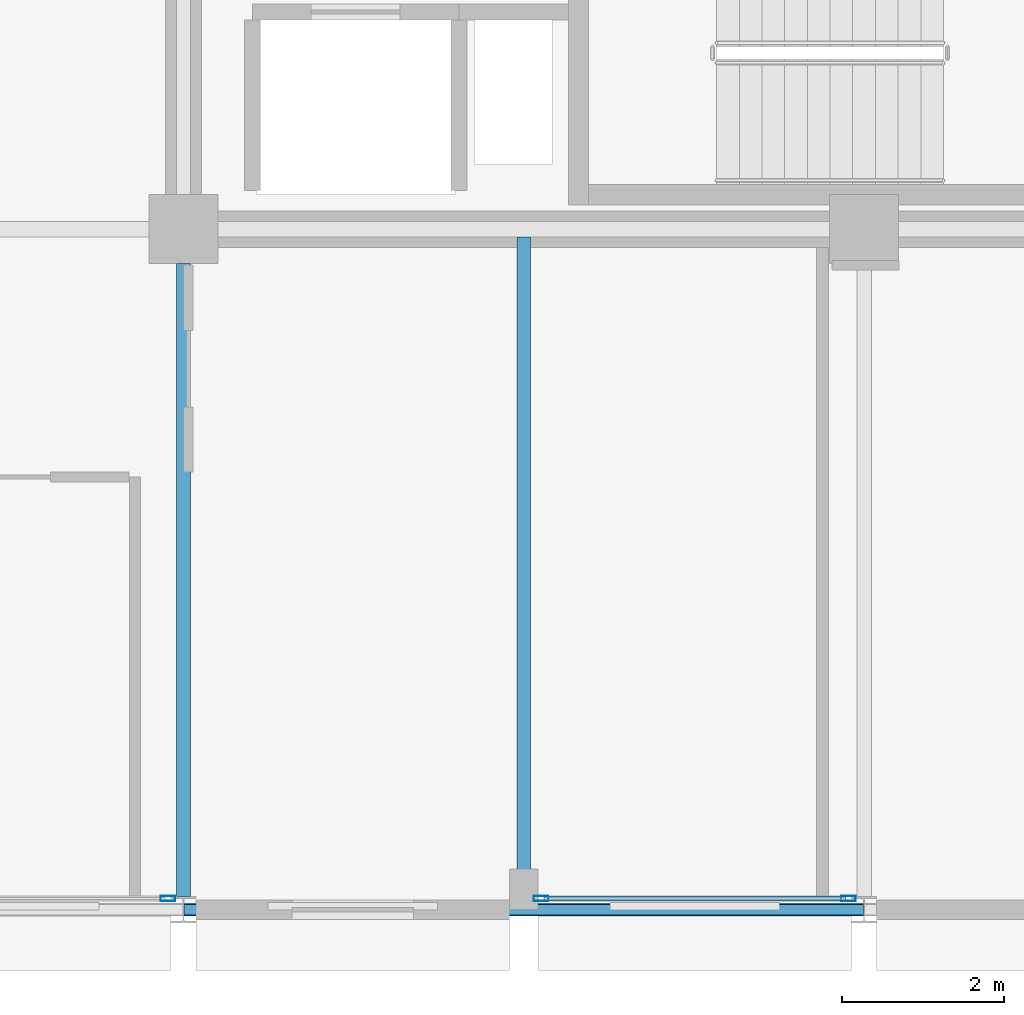
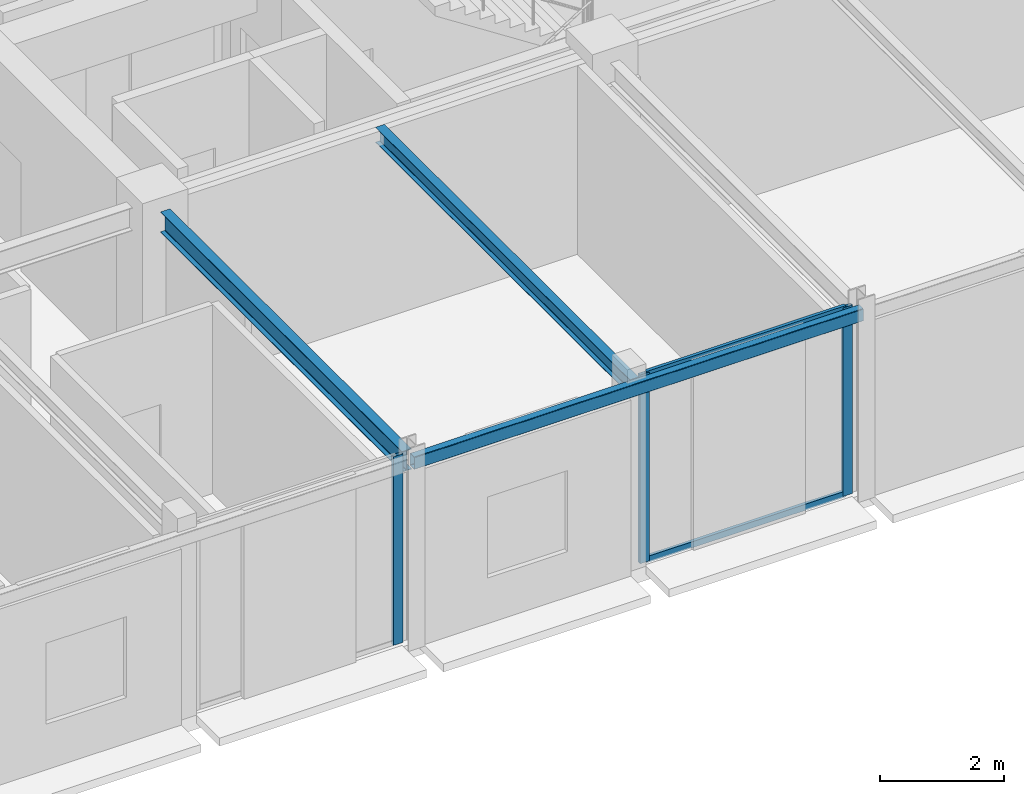
# One storey, part 7 of 27: 5 members, 3 beams, 2 elements without a shape of their own.
"""IFC4 building model written with IfcOpenShell, lengths in metres."""

from ifc_helpers import new_model, si_unit, direction, frame, origin, origin_2d, place, context, subcontext, project, spatial, hollow_rectangle, i_section, extrude, material, layer, layer_set, material_profile, profile_set, type_object, element, aggregate, save


model = new_model("IFC4")

# Units and contexts
model_context = context("Model", 3, precision=1e-05, world=origin(), true_north=direction((0.0, 1.0)))
body_context = subcontext(model_context, "Body", "Model", "MODEL_VIEW")
ifc_project = project(units=[si_unit("LENGTHUNIT", "METRE"), si_unit("AREAUNIT", "SQUARE_METRE"), si_unit("VOLUMEUNIT", "CUBIC_METRE"), si_unit("PLANEANGLEUNIT", "RADIAN"), si_unit("MASSUNIT", "GRAM", prefix="KILO")], contexts=[model_context])

# Site, building, storey
site_placement = place(None, origin())
site = spatial("IfcSite", under=ifc_project, at=site_placement, CompositionType="ELEMENT")
building_placement = place(site_placement, origin())
building = spatial("IfcBuilding", under=site, at=building_placement, Name="Nerrivon Quay Data Exchange", CompositionType="ELEMENT")
storey_placement = place(building_placement, frame((0.0, 0.0, 254.199951171875)))
storey = spatial("IfcBuildingStorey", under=building, at=storey_placement, Name="L60", CompositionType="ELEMENT", Elevation=254.199951171875)

# Beams
ifc_material_1 = material(Name="Steel Grade 350", Category="steel")
ifc_material_profile_1 = material_profile(ifc_material_1, i_section(OverallWidth=0.177978515625, OverallDepth=0.406005859375, WebThickness=0.0078125, FlangeThickness=0.0126953125, FilletRadius=0.011474609375, at=origin_2d()), Name="410UB59.7")
ifc_profile_set_1 = profile_set([ifc_material_profile_1], Name="Steel Grade 350")
beam_type_1 = type_object("IfcBeamType", Name="BM-J1-410UB60", PredefinedType="JOIST", material=ifc_profile_set_1)
beam_1_placement = place(storey_placement, frame((16.800048828125, 0.16357421875, 3.52197265625), z_axis=(0.0, 1.0, 0.0), x_axis=(-1.0, 0.0, 0.0)))
element("IfcBeam", 1, at=beam_1_placement, inside=storey, type_object=beam_type_1, Name="L60 NS Girder X=16.8 (0.0..8.4)", PredefinedType="JOIST", context=body_context, shape_type="SweptSolid", body=[
    extrude(i_section(OverallWidth=0.177978515625, OverallDepth=0.406005859375, WebThickness=0.0078125, FlangeThickness=0.0126953125, FilletRadius=0.011474609375, at=origin_2d()), origin(), (0.0, 0.0, 1.0), 7.8115234375),
])
ifc_material_profile_2 = material_profile(ifc_material_1, i_section(OverallWidth=0.1650390625, OverallDepth=0.303955078125, WebThickness=0.006103515625, FlangeThickness=0.01025390625, FilletRadius=0.011474609375, at=origin_2d()), Name="310UB40.4")
ifc_profile_set_2 = profile_set([ifc_material_profile_2], Name="Steel Grade 350")
beam_type_2 = type_object("IfcBeamType", Name="BM-J6-310UB40", PredefinedType="JOIST", material=ifc_profile_set_2)
beam_2_placement = place(storey_placement, frame((21.0, 0.074951171875, 3.572998046875), z_axis=(0.0, 1.0, 0.0), x_axis=(-1.0, 0.0, 0.0)))
element("IfcBeam", 2, at=beam_2_placement, inside=storey, type_object=beam_type_2, Name="L60 Secondary Joist X=21.0 (0.0..8.4)", PredefinedType="JOIST", context=body_context, shape_type="SweptSolid", body=[
    extrude(i_section(OverallWidth=0.1650390625, OverallDepth=0.303955078125, WebThickness=0.006103515625, FlangeThickness=0.01025390625, FilletRadius=0.011474609375, at=origin_2d()), origin(), (0.0, 0.0, 1.0), 8.22998046875),
])
ifc_material_2 = material(Name="Steel Grade C350L0 (350 MPa)", Category="steel")
ifc_material_profile_3 = material_profile(ifc_material_2, hollow_rectangle(XDim=0.14990234375, YDim=0.25, WallThickness=0.009033203125, InnerFilletRadius=0.013427734375, OuterFilletRadius=0.0224609375, at=origin_2d()), Name="250x150x9.0RHS")
ifc_profile_set_3 = profile_set([ifc_material_profile_3], Name="Steel Grade C350L0 (350 MPa)")
beam_type_3 = type_object("IfcBeamType", Name="BM-SP4-250x150RHS", PredefinedType="SPANDREL", material=ifc_profile_set_3)
beam_3_placement = place(storey_placement, frame((16.807861328125, 0.0, 3.60009765625), z_axis=(1.0, 0.0, 0.0), x_axis=(0.0, 1.0, 0.0)))
element("IfcBeam", 3, at=beam_3_placement, inside=storey, type_object=beam_type_3, Name="L60 EW Girder Y=0.0 (16.8..25.2)", PredefinedType="SPANDREL", context=body_context, shape_type="SweptSolid", body=[
    extrude(hollow_rectangle(XDim=0.14990234375, YDim=0.25, WallThickness=0.009033203125, InnerFilletRadius=0.013427734375, OuterFilletRadius=0.0224609375, at=origin_2d()), origin(), (0.0, 0.0, 1.0), 8.38427734375),
])

# Curtain wall, members
ifc_material_3 = material(Name="Anodised aluminium 6063-T6", Category="aluminium")
ifc_layer = layer(ifc_material_3, 0.195068359375)
ifc_layer_set = layer_set([ifc_layer], Name="Anodised aluminium 6063-T6")
curtain_wall_type = type_object("IfcCurtainWallType", Name="CW-SYS-06", PredefinedType="NOTDEFINED", material=ifc_layer_set)
curtain_wall_1_placement = place(storey_placement, origin())
curtain_wall_1 = element("IfcCurtainWall", 4, at=curtain_wall_1_placement, inside=storey, type_object=curtain_wall_type, Name="L60 Unitised Curtain Wall 4", PredefinedType="NOTDEFINED")
ifc_material_profile_4 = material_profile(ifc_material_3, hollow_rectangle(XDim=0.06494140625, YDim=0.179931640625, WallThickness=0.00341796875, at=origin_2d()), Name="ALU-MULL-180x65")
ifc_profile_set_4 = profile_set([ifc_material_profile_4], Name="Anodised aluminium 6063-T6")
member_type_1 = type_object("IfcMemberType", Name="CWM-180x65", PredefinedType="MULLION", material=ifc_profile_set_4)
member_1_placement = place(storey_placement, frame((25.007080078125, 0.139892578125, 0.0), z_axis=(0.0, 0.0, 1.0), x_axis=(0.0, -1.0, 0.0)))
member_1 = element("IfcMember", 5, at=member_1_placement, type_object=member_type_1, Name="CW06 mullion 1", PredefinedType="MULLION", context=body_context, shape_type="SweptSolid", body=[
    extrude(hollow_rectangle(XDim=0.06494140625, YDim=0.179931640625, WallThickness=0.00341796875, at=origin_2d()), origin(), (0.0, 0.0, 1.0), 3.72509765625),
])
member_2_placement = place(storey_placement, frame((21.21240234375, 0.139892578125, 0.0), z_axis=(0.0, 0.0, 1.0), x_axis=(0.0, -1.0, 0.0)))
member_2 = element("IfcMember", 6, at=member_2_placement, type_object=member_type_1, Name="CW06 mullion 2", PredefinedType="MULLION", context=body_context, shape_type="SweptSolid", body=[
    extrude(hollow_rectangle(XDim=0.06494140625, YDim=0.179931640625, WallThickness=0.00341796875, at=origin_2d()), origin(), (0.0, 0.0, 1.0), 3.72509765625),
])

# Curtain wall, member
curtain_wall_2_placement = place(storey_placement, origin())
curtain_wall_2 = element("IfcCurtainWall", 7, at=curtain_wall_2_placement, inside=storey, type_object=curtain_wall_type, Name="L60 Unitised Curtain Wall 6", PredefinedType="NOTDEFINED")
member_3_placement = place(storey_placement, frame((16.60693359375, 0.139892578125, 0.0), z_axis=(0.0, 0.0, 1.0), x_axis=(0.0, -1.0, 0.0)))
member_3 = element("IfcMember", 8, at=member_3_placement, type_object=member_type_1, Name="CW06 mullion 1", PredefinedType="MULLION", context=body_context, shape_type="SweptSolid", body=[
    extrude(hollow_rectangle(XDim=0.06494140625, YDim=0.179931640625, WallThickness=0.00341796875, at=origin_2d()), origin(), (0.0, 0.0, 1.0), 3.72509765625),
])
aggregate(curtain_wall_2, [member_3])

# Member
ifc_material_profile_5 = material_profile(ifc_material_3, hollow_rectangle(XDim=0.06005859375, YDim=0.1201171875, WallThickness=0.003173828125, at=origin_2d()), Name="ALU-TRAN-120x60")
ifc_profile_set_5 = profile_set([ifc_material_profile_5], Name="Anodised aluminium 6063-T6")
member_type_2 = type_object("IfcMemberType", Name="CWT-120x60", PredefinedType="USERDEFINED", material=ifc_profile_set_5)
member_4_placement = place(storey_placement, frame((24.969482421875, 0.139892578125, 0.032470703125), z_axis=(-1.0, 0.0, 0.0), x_axis=(0.0, -1.0, 0.0)))
member_4 = element("IfcMember", 9, at=member_4_placement, type_object=member_type_2, Name="CW06 transom 1.1", ObjectType="TRANSOM", PredefinedType="USERDEFINED", context=body_context, shape_type="SweptSolid", body=[
    extrude(hollow_rectangle(XDim=0.06005859375, YDim=0.1201171875, WallThickness=0.003173828125, at=origin_2d()), origin(), (0.0, 0.0, 1.0), 3.719482421875),
])

member_5_placement = place(storey_placement, frame((24.969482421875, 0.139892578125, 3.692626953125), z_axis=(-1.0, 0.0, 0.0), x_axis=(0.0, -1.0, 0.0)))
member_5 = element("IfcMember", 10, at=member_5_placement, type_object=member_type_2, Name="CW06 transom 1.2", ObjectType="TRANSOM", PredefinedType="USERDEFINED", context=body_context, shape_type="SweptSolid", body=[
    extrude(hollow_rectangle(XDim=0.06005859375, YDim=0.1201171875, WallThickness=0.003173828125, at=origin_2d()), origin(), (0.0, 0.0, 1.0), 3.719482421875),
])

aggregate(curtain_wall_1, [member_1, member_2, member_4, member_5])

save(model, "model.ifc")
